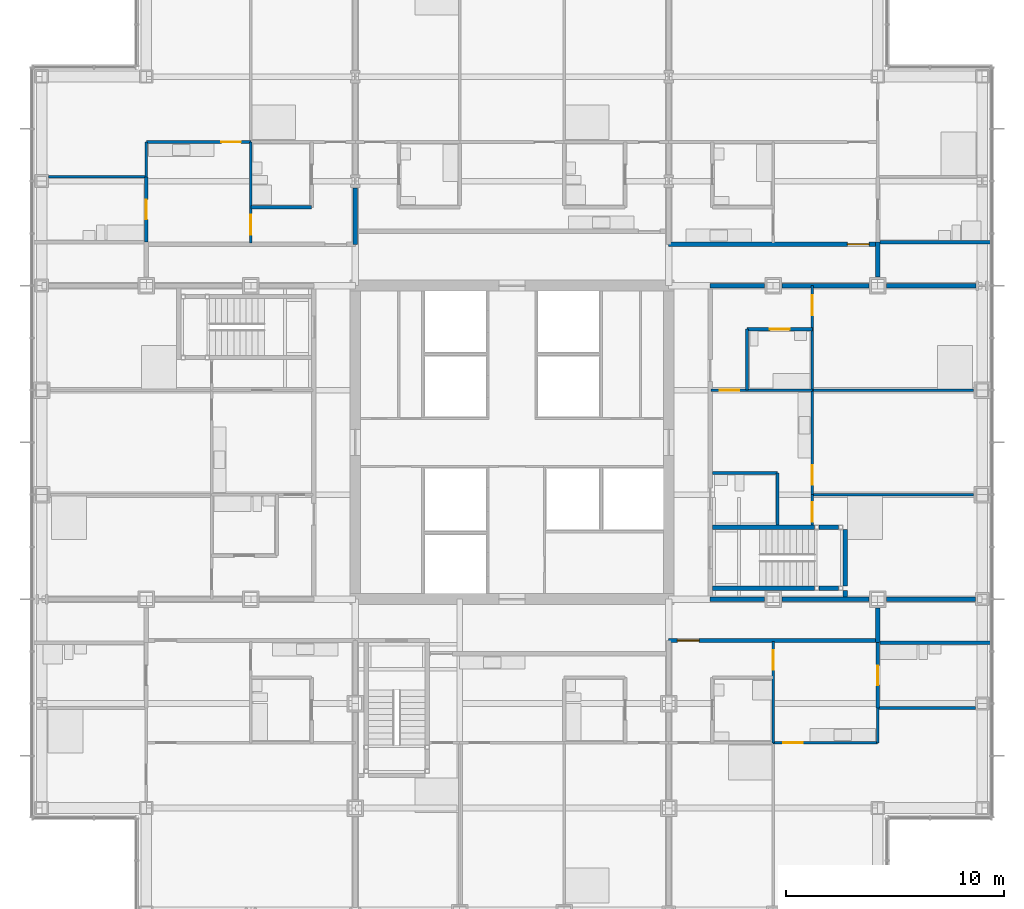
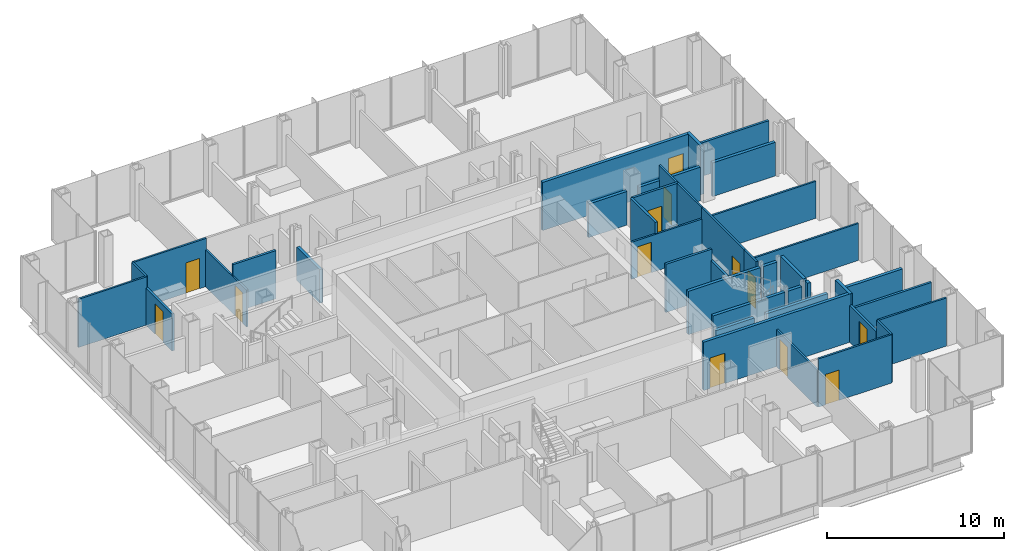
# One storey, part 16 of 21: 40 walls, 13 doors, 13 openings.
"""IFC4 building model written with IfcOpenShell, lengths in metres."""

from ifc_helpers import new_model, si_unit, direction, frame, frame_2d, origin, place, context, subcontext, project, spatial, rectangle, extrude, material, layer, layer_set, type_object, element, fill, save


model = new_model("IFC4")

# Units and contexts
model_context = context("Model", 3, precision=1e-05, world=origin(), true_north=direction((0.0, 1.0)))
body_context = subcontext(model_context, "Body", "Model", "MODEL_VIEW")
ifc_project = project(units=[si_unit("LENGTHUNIT", "METRE"), si_unit("AREAUNIT", "SQUARE_METRE"), si_unit("VOLUMEUNIT", "CUBIC_METRE"), si_unit("PLANEANGLEUNIT", "RADIAN"), si_unit("MASSUNIT", "GRAM", prefix="KILO")], contexts=[model_context])

# Site, building, storey
site_placement = place(None, origin())
site = spatial("IfcSite", under=ifc_project, at=site_placement, CompositionType="ELEMENT")
building_placement = place(site_placement, origin())
building = spatial("IfcBuilding", under=site, at=building_placement, Name="Kvirike Care Tower", CompositionType="ELEMENT")
storey_placement = place(building_placement, frame((0.0, 0.0, 58.5)))
storey = spatial("IfcBuildingStorey", under=building, at=storey_placement, Name="L15", CompositionType="ELEMENT", Elevation=58.5)

# Wall
ifc_material_1 = material(Name="Moisture-resistant board partition", Category="gypsum")
ifc_layer_1 = layer(ifc_material_1, 0.14990234375)
ifc_layer_set_1 = layer_set([ifc_layer_1], Name="BATHROOM WALL 150")
wall_type_1 = type_object("IfcWallType", Name="BATHROOM WALL 150", PredefinedType="PARTITIONING", material=ifc_layer_set_1)
wall_1_placement = place(storey_placement, frame((12.39990234375, 46.800048828125, 0.0), z_axis=(0.0, 0.0, 1.0), x_axis=(-1.0, 0.0, 0.0)))
element("IfcWall", 1, at=wall_1_placement, inside=storey, type_object=wall_type_1, Name="Bathroom Wall 150 L15", PredefinedType="PARTITIONING", context=body_context, shape_type="SweptSolid", body=[
    extrude(rectangle(XDim=2.7998046875, YDim=0.14990234375, at=frame_2d((1.39990234375, 0.0))), origin(), (0.0, 0.0, 1.0), 3.330078125),
])

# Wall, opening, door
wall_2_placement = place(storey_placement, frame((4.800048828125, 48.199951171875, 0.0), z_axis=(0.0, 0.0, 1.0), x_axis=(0.0, -1.0, 0.0)))
wall_2 = element("IfcWall", 2, at=wall_2_placement, inside=storey, type_object=wall_type_1, Name="Bathroom Wall 150 L15", PredefinedType="PARTITIONING", context=body_context, shape_type="SweptSolid", body=[
    extrude(rectangle(XDim=3.0, YDim=0.14990234375, at=frame_2d((1.5, 0.0))), origin(), (0.0, 0.0, 1.0), 2.550048828125),
])
opening_1_placement = place(wall_2_placement, frame((1.050048828125, 0.0, 0.0)))
opening_1 = element("IfcOpeningElement", 3, at=opening_1_placement, cuts=wall_2, Name="Opening 15-016", PredefinedType="OPENING", context=body_context, shape_type="SweptSolid", body=[
    extrude(rectangle(XDim=0.89990234375, YDim=2.10009765625, at=frame_2d((0.449951171875, 1.050048828125))), frame((0.0, 0.08544921875, 0.0), z_axis=(0.0, -1.0, 0.0), x_axis=(1.0, 0.0, 0.0)), (0.0, 0.0, 1.0), 0.1708984375),
])
ifc_material_2 = material(Name="Timber door set", Category="wood")
door_type_1 = type_object("IfcDoorType", Name="BATHROOM DOOR 900", OperationType="SINGLE_SWING_RIGHT", PredefinedType="DOOR", material=ifc_material_2)
door_1_placement = place(opening_1_placement, frame((0.89990234375, 0.0, 0.0), z_axis=(0.0, 0.0, 1.0), x_axis=(-1.0, 0.0, 0.0)))
door_1 = element("IfcDoor", 4, at=door_1_placement, inside=storey, type_object=door_type_1, Name="Bathroom door", OperationType="SINGLE_SWING_RIGHT", OverallHeight=2.10009765625, OverallWidth=0.89990234375, PredefinedType="DOOR", context=body_context, shape_type="SweptSolid", body=[
    extrude(rectangle(XDim=0.89990234375, YDim=2.10009765625, at=frame_2d((0.449951171875, 1.050048828125))), frame((0.0, 0.02197265625, 0.0), z_axis=(0.0, -1.0, 0.0), x_axis=(1.0, 0.0, 0.0)), (0.0, 0.0, 1.0), 0.0439453125),
])
fill(opening_1, door_1)

wall_3_placement = place(storey_placement, frame((38.39990234375, 23.800048828125, 0.0), z_axis=(0.0, 0.0, 1.0), x_axis=(0.0, 1.0, 0.0)))
wall_3 = element("IfcWall", 5, at=wall_3_placement, inside=storey, type_object=wall_type_1, Name="Bathroom Wall 150 L15", PredefinedType="PARTITIONING", context=body_context, shape_type="SweptSolid", body=[
    extrude(rectangle(XDim=3.0, YDim=0.14990234375, at=frame_2d((1.5, 0.0))), origin(), (0.0, 0.0, 1.0), 2.550048828125),
])
opening_2_placement = place(wall_3_placement, frame((1.050048828125, 0.0, 0.0)))
opening_2 = element("IfcOpeningElement", 6, at=opening_2_placement, cuts=wall_3, Name="Opening 15-034", PredefinedType="OPENING", context=body_context, shape_type="SweptSolid", body=[
    extrude(rectangle(XDim=0.89990234375, YDim=2.10009765625, at=frame_2d((0.449951171875, 1.050048828125))), frame((0.0, 0.08544921875, 0.0), z_axis=(0.0, -1.0, 0.0), x_axis=(1.0, 0.0, 0.0)), (0.0, 0.0, 1.0), 0.1708984375),
])
door_2_placement = place(opening_2_placement, frame((0.89990234375, 0.0, 0.0), z_axis=(0.0, 0.0, 1.0), x_axis=(-1.0, 0.0, 0.0)))
door_2 = element("IfcDoor", 7, at=door_2_placement, inside=storey, type_object=door_type_1, Name="Bathroom door", OperationType="SINGLE_SWING_RIGHT", OverallHeight=2.10009765625, OverallWidth=0.89990234375, PredefinedType="DOOR", context=body_context, shape_type="SweptSolid", body=[
    extrude(rectangle(XDim=0.89990234375, YDim=2.10009765625, at=frame_2d((0.449951171875, 1.050048828125))), frame((0.0, 0.02197265625, 0.0), z_axis=(0.0, -1.0, 0.0), x_axis=(1.0, 0.0, 0.0)), (0.0, 0.0, 1.0), 0.0439453125),
])
fill(opening_2, door_2)

# Walls
wall_4_placement = place(storey_placement, frame((33.800048828125, 32.199951171875, 0.0), z_axis=(0.0, 0.0, 1.0), x_axis=(0.0, 1.0, 0.0)))
element("IfcWall", 8, at=wall_4_placement, inside=storey, type_object=wall_type_1, Name="Bathroom Wall 150 L15", PredefinedType="PARTITIONING", context=body_context, shape_type="SweptSolid", body=[
    extrude(rectangle(XDim=2.400146484375, YDim=0.14990234375, at=frame_2d((1.2001953125, 0.0))), origin(), (0.0, 0.0, 1.0), 2.550048828125),
])
wall_5_placement = place(storey_placement, frame((33.800048828125, 34.60009765625, 0.0), z_axis=(0.0, 0.0, 1.0), x_axis=(-1.0, 0.0, 0.0)))
element("IfcWall", 9, at=wall_5_placement, inside=storey, type_object=wall_type_1, Name="Bathroom Wall 150 L15", PredefinedType="PARTITIONING", context=body_context, shape_type="SweptSolid", body=[
    extrude(rectangle(XDim=3.0, YDim=0.14990234375, at=frame_2d((1.5, 0.0))), origin(), (0.0, 0.0, 1.0), 3.330078125),
])

# Wall, opening, door
wall_6_placement = place(storey_placement, frame((35.39990234375, 41.199951171875, 0.0), z_axis=(0.0, 0.0, 1.0), x_axis=(-1.0, 0.0, 0.0)))
wall_6 = element("IfcWall", 10, at=wall_6_placement, inside=storey, type_object=wall_type_1, Name="Bathroom Wall 150 L15", PredefinedType="PARTITIONING", context=body_context, shape_type="SweptSolid", body=[
    extrude(rectangle(XDim=3.0, YDim=0.14990234375, at=frame_2d((1.5, 0.0))), origin(), (0.0, 0.0, 1.0), 3.330078125),
])
opening_3_placement = place(wall_6_placement, frame((1.050048828125, 0.0, 0.0)))
opening_3 = element("IfcOpeningElement", 11, at=opening_3_placement, cuts=wall_6, Name="Opening 15-039", PredefinedType="OPENING", context=body_context, shape_type="SweptSolid", body=[
    extrude(rectangle(XDim=0.89990234375, YDim=2.10009765625, at=frame_2d((0.449951171875, 1.050048828125))), frame((0.0, 0.08544921875, 0.0), z_axis=(0.0, -1.0, 0.0), x_axis=(1.0, 0.0, 0.0)), (0.0, 0.0, 1.0), 0.1708984375),
])
door_3_placement = place(opening_3_placement, origin())
door_3 = element("IfcDoor", 12, at=door_3_placement, inside=storey, type_object=door_type_1, Name="Bathroom door", OperationType="SINGLE_SWING_LEFT", OverallHeight=2.10009765625, OverallWidth=0.89990234375, PredefinedType="DOOR", context=body_context, shape_type="SweptSolid", body=[
    extrude(rectangle(XDim=0.89990234375, YDim=2.10009765625, at=frame_2d((0.449951171875, 1.050048828125))), frame((0.0, 0.02197265625, 0.0), z_axis=(0.0, -1.0, 0.0), x_axis=(1.0, 0.0, 0.0)), (0.0, 0.0, 1.0), 0.0439453125),
])
fill(opening_3, door_3)

# Walls
wall_7_placement = place(storey_placement, frame((32.39990234375, 38.39990234375, 0.0), z_axis=(0.0, 0.0, 1.0), x_axis=(0.0, 1.0, 0.0)))
element("IfcWall", 13, at=wall_7_placement, inside=storey, type_object=wall_type_1, Name="Bathroom Wall 150 L15", PredefinedType="PARTITIONING", context=body_context, shape_type="SweptSolid", body=[
    extrude(rectangle(XDim=2.800048828125, YDim=0.14990234375, at=frame_2d((1.39990234375, 0.0))), origin(), (0.0, 0.0, 1.0), 3.330078125),
])
for number, where, z_axis, x_axis, name in (
    (14, (38.5, 26.800048828125, 0.0), (0.0, 0.0, 1.0), (1.0, 0.0, 0.0), "Bathroom Wall 150 L15"),
    (15, (43.6298828125, 45.199951171875, 0.0), (0.0, 0.0, 1.0), (-1.0, 0.0, 0.0), "Bathroom Wall 150 L15"),
):
    element("IfcWall", number, at=place(storey_placement, frame(where, z_axis=z_axis, x_axis=x_axis)), inside=storey, type_object=wall_type_1, Name=name, PredefinedType="PARTITIONING", context=body_context, shape_type="SweptSolid", body=[
        extrude(rectangle(XDim=5.1298828125, YDim=0.14990234375, at=frame_2d((2.56494140625, 0.0))), origin(), (0.0, 0.0, 1.0), 2.320068359375),
    ])

# Wall, opening, door
ifc_material_3 = material(Name="Plasterboard corridor wall", Category="gypsum")
ifc_layer_2 = layer(ifc_material_3, 0.199951171875)
ifc_layer_set_2 = layer_set([ifc_layer_2], Name="CORRIDOR WALL 200")
wall_type_2 = type_object("IfcWallType", Name="CORRIDOR WALL 200", PredefinedType="PARTITIONING", material=ifc_layer_set_2)
wall_8_placement = place(storey_placement, frame((28.800048828125, 26.89990234375, 0.0), z_axis=(0.0, 0.0, 1.0), x_axis=(1.0, 0.0, 0.0)))
wall_8 = element("IfcWall", 16, at=wall_8_placement, inside=storey, type_object=wall_type_2, Name="Corridor Wall 200 L15", PredefinedType="PARTITIONING", context=body_context, shape_type="SweptSolid", body=[
    extrude(rectangle(XDim=9.599853515625, YDim=0.199951171875, at=frame_2d((4.7998046875, 0.0))), origin(), (0.0, 0.0, 1.0), 3.330078125),
])
opening_4_placement = place(wall_8_placement, frame((0.39990234375, 0.0, 0.0)))
opening_4 = element("IfcOpeningElement", 17, at=opening_4_placement, cuts=wall_8, Name="Opening 15-038", PredefinedType="OPENING", context=body_context, shape_type="SweptSolid", body=[
    extrude(rectangle(XDim=1.0, YDim=2.10009765625, at=frame_2d((0.5, 1.050048828125))), frame((0.0, 0.110595703125, 0.0), z_axis=(0.0, -1.0, 0.0), x_axis=(1.0, 0.0, 0.0)), (0.0, 0.0, 1.0), 0.220947265625),
])
ifc_material_4 = material(Name="Timber door set", Category="wood")
door_type_2 = type_object("IfcDoorType", Name="FLAT ENTRANCE DOOR 1000", OperationType="SINGLE_SWING_LEFT", PredefinedType="DOOR", material=ifc_material_4)
door_4_placement = place(opening_4_placement, frame((1.0, 0.0, 0.0), z_axis=(0.0, 0.0, 1.0), x_axis=(-1.0, 0.0, 0.0)))
door_4 = element("IfcDoor", 18, at=door_4_placement, inside=storey, type_object=door_type_2, Name="One-bedroom apartment entrance", OperationType="SINGLE_SWING_LEFT", OverallHeight=2.10009765625, OverallWidth=1.0, PredefinedType="DOOR", context=body_context, shape_type="SweptSolid", body=[
    extrude(rectangle(XDim=1.0, YDim=2.10009765625, at=frame_2d((0.5, 1.050048828125))), frame((0.0, 0.02685546875, 0.0), z_axis=(0.0, -1.0, 0.0), x_axis=(1.0, 0.0, 0.0)), (0.0, 0.0, 1.0), 0.053955078125),
])
fill(opening_4, door_4)

# Wall
wall_9_placement = place(storey_placement, frame((38.39990234375, 26.800048828125, 0.0), z_axis=(0.0, 0.0, 1.0), x_axis=(0.0, 1.0, 0.0)))
element("IfcWall", 19, at=wall_9_placement, inside=storey, type_object=wall_type_2, Name="Corridor Wall 200 L15", PredefinedType="PARTITIONING", context=body_context, shape_type="SweptSolid", body=[
    extrude(rectangle(XDim=1.60498046875, YDim=0.199951171875, at=frame_2d((0.802490234375, 0.0))), origin(), (0.0, 0.0, 1.0), 3.330078125),
])

# Wall, opening, door
wall_10_placement = place(storey_placement, frame((38.39990234375, 45.10009765625, 0.0), z_axis=(0.0, 0.0, 1.0), x_axis=(-1.0, 0.0, 0.0)))
wall_10 = element("IfcWall", 20, at=wall_10_placement, inside=storey, type_object=wall_type_2, Name="Corridor Wall 200 L15", PredefinedType="PARTITIONING", context=body_context, shape_type="SweptSolid", body=[
    extrude(rectangle(XDim=9.599853515625, YDim=0.199951171875, at=frame_2d((4.7998046875, 0.0))), origin(), (0.0, 0.0, 1.0), 3.330078125),
])
opening_5_placement = place(wall_10_placement, frame((0.39990234375, 0.0, 0.0)))
opening_5 = element("IfcOpeningElement", 21, at=opening_5_placement, cuts=wall_10, Name="Opening 15-052", PredefinedType="OPENING", context=body_context, shape_type="SweptSolid", body=[
    extrude(rectangle(XDim=1.0, YDim=2.10009765625, at=frame_2d((0.5, 1.050048828125))), frame((0.0, 0.110595703125, 0.0), z_axis=(0.0, -1.0, 0.0), x_axis=(1.0, 0.0, 0.0)), (0.0, 0.0, 1.0), 0.220947265625),
])
door_5_placement = place(opening_5_placement, frame((1.0, 0.0, 0.0), z_axis=(0.0, 0.0, 1.0), x_axis=(-1.0, 0.0, 0.0)))
door_5 = element("IfcDoor", 22, at=door_5_placement, inside=storey, type_object=door_type_2, Name="One-bedroom apartment entrance", OperationType="SINGLE_SWING_LEFT", OverallHeight=2.10009765625, OverallWidth=1.0, PredefinedType="DOOR", context=body_context, shape_type="SweptSolid", body=[
    extrude(rectangle(XDim=1.0, YDim=2.10009765625, at=frame_2d((0.5, 1.050048828125))), frame((0.0, 0.02685546875, 0.0), z_axis=(0.0, -1.0, 0.0), x_axis=(1.0, 0.0, 0.0)), (0.0, 0.0, 1.0), 0.053955078125),
])
fill(opening_5, door_5)

# Wall
wall_11_placement = place(storey_placement, frame((38.39990234375, 45.199951171875, 0.0), z_axis=(0.0, 0.0, 1.0), x_axis=(0.0, -1.0, 0.0)))
element("IfcWall", 23, at=wall_11_placement, inside=storey, type_object=wall_type_2, Name="Corridor Wall 200 L15", PredefinedType="PARTITIONING", context=body_context, shape_type="SweptSolid", body=[
    extrude(rectangle(XDim=1.60498046875, YDim=0.199951171875, at=frame_2d((0.802490234375, 0.0))), origin(), (0.0, 0.0, 1.0), 3.330078125),
])

# Wall, opening, door
ifc_material_5 = material(Name="Plasterboard partition", Category="gypsum")
ifc_layer_3 = layer(ifc_material_5, 0.1201171875)
ifc_layer_set_3 = layer_set([ifc_layer_3], Name="PARTITION 120")
wall_type_3 = type_object("IfcWallType", Name="PARTITION 120", PredefinedType="PARTITIONING", material=ifc_layer_set_3)
wall_12_placement = place(storey_placement, frame((9.60009765625, 49.800048828125, 0.0), z_axis=(0.0, 0.0, 1.0), x_axis=(0.0, -1.0, 0.0)))
wall_12 = element("IfcWall", 24, at=wall_12_placement, inside=storey, type_object=wall_type_3, Name="Partition 120 L15", PredefinedType="PARTITIONING", context=body_context, shape_type="SweptSolid", body=[
    extrude(rectangle(XDim=4.650146484375, YDim=0.1201171875, at=frame_2d((2.3251953125, 0.0))), origin(), (0.0, 0.0, 1.0), 2.550048828125),
])
opening_6_placement = place(wall_12_placement, frame((3.35009765625, 0.0, 0.0)))
opening_6 = element("IfcOpeningElement", 25, at=opening_6_placement, cuts=wall_12, Name="Opening 15-017", PredefinedType="OPENING", context=body_context, shape_type="SweptSolid", body=[
    extrude(rectangle(XDim=0.89990234375, YDim=2.10009765625, at=frame_2d((0.449951171875, 1.050048828125))), frame((0.0, 0.070556640625, 0.0), z_axis=(0.0, -1.0, 0.0), x_axis=(1.0, 0.0, 0.0)), (0.0, 0.0, 1.0), 0.14111328125),
])
ifc_material_6 = material(Name="Timber door set", Category="wood")
door_type_3 = type_object("IfcDoorType", Name="INTERNAL DOOR 900", OperationType="SINGLE_SWING_LEFT", PredefinedType="DOOR", material=ifc_material_6)
door_6_placement = place(opening_6_placement, origin())
door_6 = element("IfcDoor", 26, at=door_6_placement, inside=storey, type_object=door_type_3, Name="Hall door", OperationType="SINGLE_SWING_LEFT", OverallHeight=2.10009765625, OverallWidth=0.89990234375, PredefinedType="DOOR", context=body_context, shape_type="SweptSolid", body=[
    extrude(rectangle(XDim=0.89990234375, YDim=2.10009765625, at=frame_2d((0.449951171875, 1.050048828125))), frame((0.0, 0.02197265625, 0.0), z_axis=(0.0, -1.0, 0.0), x_axis=(1.0, 0.0, 0.0)), (0.0, 0.0, 1.0), 0.0439453125),
])
fill(opening_6, door_6)

wall_13_placement = place(storey_placement, frame((9.60009765625, 49.800048828125, 0.0), z_axis=(0.0, 0.0, 1.0), x_axis=(-1.0, 0.0, 0.0)))
wall_13 = element("IfcWall", 27, at=wall_13_placement, inside=storey, type_object=wall_type_3, Name="Partition 120 L15", PredefinedType="PARTITIONING", context=body_context, shape_type="SweptSolid", body=[
    extrude(rectangle(XDim=4.800048828125, YDim=0.1201171875, at=frame_2d((2.39990234375, 0.0))), origin(), (0.0, 0.0, 1.0), 3.330078125),
])
opening_7_placement = place(wall_13_placement, frame((0.449951171875, 0.0, 0.0)))
opening_7 = element("IfcOpeningElement", 28, at=opening_7_placement, cuts=wall_13, Name="Opening 15-019", PredefinedType="OPENING", context=body_context, shape_type="SweptSolid", body=[
    extrude(rectangle(XDim=0.89990234375, YDim=2.10009765625, at=frame_2d((0.449951171875, 1.050048828125))), frame((0.0, 0.070556640625, 0.0), z_axis=(0.0, -1.0, 0.0), x_axis=(1.0, 0.0, 0.0)), (0.0, 0.0, 1.0), 0.14111328125),
])
door_7_placement = place(opening_7_placement, origin())
door_7 = element("IfcDoor", 29, at=door_7_placement, inside=storey, type_object=door_type_3, Name="Apartment living and dining room door", OperationType="SINGLE_SWING_RIGHT", OverallHeight=2.10009765625, OverallWidth=0.89990234375, PredefinedType="DOOR", context=body_context, shape_type="SweptSolid", body=[
    extrude(rectangle(XDim=0.89990234375, YDim=2.10009765625, at=frame_2d((0.449951171875, 1.050048828125))), frame((0.0, 0.02197265625, 0.0), z_axis=(0.0, -1.0, 0.0), x_axis=(1.0, 0.0, 0.0)), (0.0, 0.0, 1.0), 0.0439453125),
])
fill(opening_7, door_7)

# Walls
wall_14_placement = place(storey_placement, frame((4.800048828125, 48.199951171875, 0.0), z_axis=(0.0, 0.0, 1.0), x_axis=(-1.0, 0.0, 0.0)))
element("IfcWall", 30, at=wall_14_placement, inside=storey, type_object=wall_type_3, Name="Partition 120 L15", PredefinedType="PARTITIONING", context=body_context, shape_type="SweptSolid", body=[
    extrude(rectangle(XDim=4.47998046875, YDim=0.1201171875, at=frame_2d((2.239990234375, 0.0))), origin(), (0.0, 0.0, 1.0), 3.330078125),
])
wall_15_placement = place(storey_placement, frame((4.800048828125, 49.800048828125, 0.0), z_axis=(0.0, 0.0, 1.0), x_axis=(0.0, -1.0, 0.0)))
element("IfcWall", 31, at=wall_15_placement, inside=storey, type_object=wall_type_3, Name="Partition 120 L15", PredefinedType="PARTITIONING", context=body_context, shape_type="SweptSolid", body=[
    extrude(rectangle(XDim=1.60009765625, YDim=0.1201171875, at=frame_2d((0.800048828125, 0.0))), origin(), (0.0, 0.0, 1.0), 3.330078125),
])

# Wall, opening, door
wall_16_placement = place(storey_placement, frame((33.60009765625, 22.199951171875, 0.0), z_axis=(0.0, 0.0, 1.0), x_axis=(0.0, 1.0, 0.0)))
wall_16 = element("IfcWall", 32, at=wall_16_placement, inside=storey, type_object=wall_type_3, Name="Partition 120 L15", PredefinedType="PARTITIONING", context=body_context, shape_type="SweptSolid", body=[
    extrude(rectangle(XDim=4.650146484375, YDim=0.1201171875, at=frame_2d((2.3251953125, 0.0))), origin(), (0.0, 0.0, 1.0), 2.550048828125),
])
opening_8_placement = place(wall_16_placement, frame((3.35009765625, 0.0, 0.0)))
opening_8 = element("IfcOpeningElement", 33, at=opening_8_placement, cuts=wall_16, Name="Opening 15-035", PredefinedType="OPENING", context=body_context, shape_type="SweptSolid", body=[
    extrude(rectangle(XDim=0.89990234375, YDim=2.10009765625, at=frame_2d((0.449951171875, 1.050048828125))), frame((0.0, 0.070556640625, 0.0), z_axis=(0.0, -1.0, 0.0), x_axis=(1.0, 0.0, 0.0)), (0.0, 0.0, 1.0), 0.14111328125),
])
door_8_placement = place(opening_8_placement, origin())
door_8 = element("IfcDoor", 34, at=door_8_placement, inside=storey, type_object=door_type_3, Name="Hall door", OperationType="SINGLE_SWING_LEFT", OverallHeight=2.10009765625, OverallWidth=0.89990234375, PredefinedType="DOOR", context=body_context, shape_type="SweptSolid", body=[
    extrude(rectangle(XDim=0.89990234375, YDim=2.10009765625, at=frame_2d((0.449951171875, 1.050048828125))), frame((0.0, 0.02197265625, 0.0), z_axis=(0.0, -1.0, 0.0), x_axis=(1.0, 0.0, 0.0)), (0.0, 0.0, 1.0), 0.0439453125),
])
fill(opening_8, door_8)

wall_17_placement = place(storey_placement, frame((33.60009765625, 22.199951171875, 0.0), z_axis=(0.0, 0.0, 1.0), x_axis=(1.0, 0.0, 0.0)))
wall_17 = element("IfcWall", 35, at=wall_17_placement, inside=storey, type_object=wall_type_3, Name="Partition 120 L15", PredefinedType="PARTITIONING", context=body_context, shape_type="SweptSolid", body=[
    extrude(rectangle(XDim=4.7998046875, YDim=0.1201171875, at=frame_2d((2.39990234375, 0.0))), origin(), (0.0, 0.0, 1.0), 3.330078125),
])
opening_9_placement = place(wall_17_placement, frame((0.449951171875, 0.0, 0.0)))
opening_9 = element("IfcOpeningElement", 36, at=opening_9_placement, cuts=wall_17, Name="Opening 15-037", PredefinedType="OPENING", context=body_context, shape_type="SweptSolid", body=[
    extrude(rectangle(XDim=0.89990234375, YDim=2.10009765625, at=frame_2d((0.449951171875, 1.050048828125))), frame((0.0, 0.070556640625, 0.0), z_axis=(0.0, -1.0, 0.0), x_axis=(1.0, 0.0, 0.0)), (0.0, 0.0, 1.0), 0.14111328125),
])
door_9_placement = place(opening_9_placement, origin())
door_9 = element("IfcDoor", 37, at=door_9_placement, inside=storey, type_object=door_type_3, Name="Apartment living and dining room door", OperationType="SINGLE_SWING_RIGHT", OverallHeight=2.10009765625, OverallWidth=0.89990234375, PredefinedType="DOOR", context=body_context, shape_type="SweptSolid", body=[
    extrude(rectangle(XDim=0.89990234375, YDim=2.10009765625, at=frame_2d((0.449951171875, 1.050048828125))), frame((0.0, 0.02197265625, 0.0), z_axis=(0.0, -1.0, 0.0), x_axis=(1.0, 0.0, 0.0)), (0.0, 0.0, 1.0), 0.0439453125),
])
fill(opening_9, door_9)

# Walls
wall_18_placement = place(storey_placement, frame((38.39990234375, 23.800048828125, 0.0), z_axis=(0.0, 0.0, 1.0), x_axis=(1.0, 0.0, 0.0)))
element("IfcWall", 38, at=wall_18_placement, inside=storey, type_object=wall_type_3, Name="Partition 120 L15", PredefinedType="PARTITIONING", context=body_context, shape_type="SweptSolid", body=[
    extrude(rectangle(XDim=4.47998046875, YDim=0.1201171875, at=frame_2d((2.239990234375, 0.0))), origin(), (0.0, 0.0, 1.0), 3.330078125),
])
wall_19_placement = place(storey_placement, frame((38.39990234375, 22.199951171875, 0.0), z_axis=(0.0, 0.0, 1.0), x_axis=(0.0, 1.0, 0.0)))
element("IfcWall", 39, at=wall_19_placement, inside=storey, type_object=wall_type_3, Name="Partition 120 L15", PredefinedType="PARTITIONING", context=body_context, shape_type="SweptSolid", body=[
    extrude(rectangle(XDim=1.60009765625, YDim=0.1201171875, at=frame_2d((0.800048828125, 0.0))), origin(), (0.0, 0.0, 1.0), 3.330078125),
])

# Wall, opening, door
wall_20_placement = place(storey_placement, frame((35.39990234375, 38.39990234375, 0.0), z_axis=(0.0, 0.0, 1.0), x_axis=(-1.0, 0.0, 0.0)))
wall_20 = element("IfcWall", 40, at=wall_20_placement, inside=storey, type_object=wall_type_3, Name="Partition 120 L15", PredefinedType="PARTITIONING", context=body_context, shape_type="SweptSolid", body=[
    extrude(rectangle(XDim=4.64990234375, YDim=0.1201171875, at=frame_2d((2.324951171875, 0.0))), origin(), (0.0, 0.0, 1.0), 2.550048828125),
])
opening_10_placement = place(wall_20_placement, frame((3.35009765625, 0.0, 0.0)))
opening_10 = element("IfcOpeningElement", 41, at=opening_10_placement, cuts=wall_20, Name="Opening 15-040", PredefinedType="OPENING", context=body_context, shape_type="SweptSolid", body=[
    extrude(rectangle(XDim=0.89990234375, YDim=2.10009765625, at=frame_2d((0.449951171875, 1.050048828125))), frame((0.0, 0.070556640625, 0.0), z_axis=(0.0, -1.0, 0.0), x_axis=(1.0, 0.0, 0.0)), (0.0, 0.0, 1.0), 0.14111328125),
])
door_10_placement = place(opening_10_placement, origin())
door_10 = element("IfcDoor", 42, at=door_10_placement, inside=storey, type_object=door_type_3, Name="Hall door", OperationType="SINGLE_SWING_LEFT", OverallHeight=2.10009765625, OverallWidth=0.89990234375, PredefinedType="DOOR", context=body_context, shape_type="SweptSolid", body=[
    extrude(rectangle(XDim=0.89990234375, YDim=2.10009765625, at=frame_2d((0.449951171875, 1.050048828125))), frame((0.0, 0.02197265625, 0.0), z_axis=(0.0, -1.0, 0.0), x_axis=(1.0, 0.0, 0.0)), (0.0, 0.0, 1.0), 0.0439453125),
])
fill(opening_10, door_10)

wall_21_placement = place(storey_placement, frame((35.39990234375, 32.199951171875, 0.0), z_axis=(0.0, 0.0, 1.0), x_axis=(0.0, 1.0, 0.0)))
wall_21 = element("IfcWall", 43, at=wall_21_placement, inside=storey, type_object=wall_type_3, Name="Partition 120 L15", PredefinedType="PARTITIONING", context=body_context, shape_type="SweptSolid", body=[
    extrude(rectangle(XDim=1.400146484375, YDim=0.1201171875, at=frame_2d((0.7001953125, 0.0))), origin(), (0.0, 0.0, 1.0), 3.330078125),
])
opening_11_placement = place(wall_21_placement, frame((0.14990234375, 0.0, 0.0)))
opening_11 = element("IfcOpeningElement", 44, at=opening_11_placement, cuts=wall_21, Name="Opening 15-041", PredefinedType="OPENING", context=body_context, shape_type="SweptSolid", body=[
    extrude(rectangle(XDim=0.89990234375, YDim=2.10009765625, at=frame_2d((0.449951171875, 1.050048828125))), frame((0.0, 0.070556640625, 0.0), z_axis=(0.0, -1.0, 0.0), x_axis=(1.0, 0.0, 0.0)), (0.0, 0.0, 1.0), 0.14111328125),
])
door_11_placement = place(opening_11_placement, origin())
door_11 = element("IfcDoor", 45, at=door_11_placement, inside=storey, type_object=door_type_3, Name="Apartment bedroom door", OperationType="SINGLE_SWING_RIGHT", OverallHeight=2.10009765625, OverallWidth=0.89990234375, PredefinedType="DOOR", context=body_context, shape_type="SweptSolid", body=[
    extrude(rectangle(XDim=0.89990234375, YDim=2.10009765625, at=frame_2d((0.449951171875, 1.050048828125))), frame((0.0, 0.02197265625, 0.0), z_axis=(0.0, -1.0, 0.0), x_axis=(1.0, 0.0, 0.0)), (0.0, 0.0, 1.0), 0.0439453125),
])
fill(opening_11, door_11)

wall_22_placement = place(storey_placement, frame((35.39990234375, 33.60009765625, 0.0), z_axis=(0.0, 0.0, 1.0), x_axis=(0.0, 1.0, 0.0)))
wall_22 = element("IfcWall", 46, at=wall_22_placement, inside=storey, type_object=wall_type_3, Name="Partition 120 L15", PredefinedType="PARTITIONING", context=body_context, shape_type="SweptSolid", body=[
    extrude(rectangle(XDim=4.7998046875, YDim=0.1201171875, at=frame_2d((2.39990234375, 0.0))), origin(), (0.0, 0.0, 1.0), 3.330078125),
])
opening_12_placement = place(wall_22_placement, frame((0.449951171875, 0.0, 0.0)))
opening_12 = element("IfcOpeningElement", 47, at=opening_12_placement, cuts=wall_22, Name="Opening 15-042", PredefinedType="OPENING", context=body_context, shape_type="SweptSolid", body=[
    extrude(rectangle(XDim=0.89990234375, YDim=2.10009765625, at=frame_2d((0.449951171875, 1.050048828125))), frame((0.0, 0.070556640625, 0.0), z_axis=(0.0, -1.0, 0.0), x_axis=(1.0, 0.0, 0.0)), (0.0, 0.0, 1.0), 0.14111328125),
])
door_12_placement = place(opening_12_placement, origin())
door_12 = element("IfcDoor", 48, at=door_12_placement, inside=storey, type_object=door_type_3, Name="Apartment living room door", OperationType="SINGLE_SWING_RIGHT", OverallHeight=2.10009765625, OverallWidth=0.89990234375, PredefinedType="DOOR", context=body_context, shape_type="SweptSolid", body=[
    extrude(rectangle(XDim=0.89990234375, YDim=2.10009765625, at=frame_2d((0.449951171875, 1.050048828125))), frame((0.0, 0.02197265625, 0.0), z_axis=(0.0, -1.0, 0.0), x_axis=(1.0, 0.0, 0.0)), (0.0, 0.0, 1.0), 0.0439453125),
])
fill(opening_12, door_12)

wall_23_placement = place(storey_placement, frame((35.39990234375, 38.39990234375, 0.0), z_axis=(0.0, 0.0, 1.0), x_axis=(0.0, 1.0, 0.0)))
wall_23 = element("IfcWall", 49, at=wall_23_placement, inside=storey, type_object=wall_type_3, Name="Partition 120 L15", PredefinedType="PARTITIONING", context=body_context, shape_type="SweptSolid", body=[
    extrude(rectangle(XDim=4.800048828125, YDim=0.1201171875, at=frame_2d((2.39990234375, 0.0))), origin(), (0.0, 0.0, 1.0), 3.330078125),
])
opening_13_placement = place(wall_23_placement, frame((3.449951171875, 0.0, 0.0)))
opening_13 = element("IfcOpeningElement", 50, at=opening_13_placement, cuts=wall_23, Name="Opening 15-043", PredefinedType="OPENING", context=body_context, shape_type="SweptSolid", body=[
    extrude(rectangle(XDim=0.89990234375, YDim=2.10009765625, at=frame_2d((0.449951171875, 1.050048828125))), frame((0.0, 0.070556640625, 0.0), z_axis=(0.0, -1.0, 0.0), x_axis=(1.0, 0.0, 0.0)), (0.0, 0.0, 1.0), 0.14111328125),
])
door_13_placement = place(opening_13_placement, origin())
door_13 = element("IfcDoor", 51, at=door_13_placement, inside=storey, type_object=door_type_3, Name="Apartment bedroom door", OperationType="SINGLE_SWING_LEFT", OverallHeight=2.10009765625, OverallWidth=0.89990234375, PredefinedType="DOOR", context=body_context, shape_type="SweptSolid", body=[
    extrude(rectangle(XDim=0.89990234375, YDim=2.10009765625, at=frame_2d((0.449951171875, 1.050048828125))), frame((0.0, 0.02197265625, 0.0), z_axis=(0.0, -1.0, 0.0), x_axis=(1.0, 0.0, 0.0)), (0.0, 0.0, 1.0), 0.0439453125),
])
fill(opening_13, door_13)

# Walls
for number, where, z_axis, x_axis, name in (
    (52, (42.804931640625, 33.60009765625, 0.0), (0.0, 0.0, 1.0), (-1.0, 0.0, 0.0), "Partition 120 L15"),
    (53, (42.804931640625, 38.39990234375, 0.0), (0.0, 0.0, 1.0), (-1.0, 0.0, 0.0), "Partition 120 L15"),
):
    element("IfcWall", number, at=place(storey_placement, frame(where, z_axis=z_axis, x_axis=x_axis)), inside=storey, type_object=wall_type_3, Name=name, PredefinedType="PARTITIONING", context=body_context, shape_type="SweptSolid", body=[
        extrude(rectangle(XDim=7.405029296875, YDim=0.1201171875, at=frame_2d((3.70263671875, 0.0))), origin(), (0.0, 0.0, 1.0), 2.550048828125),
    ])
ifc_material_7 = material(Name="Plasterboard party wall", Category="gypsum")
ifc_layer_4 = layer(ifc_material_7, 0.199951171875)
ifc_layer_set_4 = layer_set([ifc_layer_4], Name="PARTY WALL 200")
wall_type_4 = type_object("IfcWallType", Name="PARTY WALL 200", PredefinedType="PARTITIONING", material=ifc_layer_set_4)
wall_24_placement = place(storey_placement, frame((14.39990234375, 45.10009765625, 0.0), z_axis=(0.0, 0.0, 1.0), x_axis=(0.0, 1.0, 0.0)))
element("IfcWall", 54, at=wall_24_placement, inside=storey, type_object=wall_type_4, Name="Party Wall 200 L15", PredefinedType="PARTITIONING", context=body_context, shape_type="SweptSolid", body=[
    extrude(rectangle(XDim=2.595458984375, YDim=0.199951171875, at=frame_2d((1.2978515625, 0.0))), origin(), (0.0, 0.0, 1.0), 2.320068359375),
])
wall_25_placement = place(storey_placement, frame((42.8798828125, 28.800048828125, 0.0), z_axis=(0.0, 0.0, 1.0), x_axis=(-1.0, 0.0, 0.0)))
element("IfcWall", 55, at=wall_25_placement, inside=storey, type_object=wall_type_4, Name="Party Wall 200 L15", PredefinedType="PARTITIONING", context=body_context, shape_type="SweptSolid", body=[
    extrude(rectangle(XDim=4.0849609375, YDim=0.199951171875, at=frame_2d((2.04248046875, 0.0))), origin(), (0.0, 0.0, 1.0), 2.320068359375),
])
wall_26_placement = place(storey_placement, frame((38.0048828125, 28.800048828125, 0.0), z_axis=(0.0, 0.0, 1.0), x_axis=(-1.0, 0.0, 0.0)))
element("IfcWall", 56, at=wall_26_placement, inside=storey, type_object=wall_type_4, Name="Party Wall 200 L15", PredefinedType="PARTITIONING", context=body_context, shape_type="SweptSolid", body=[
    extrude(rectangle(XDim=4.009765625, YDim=0.199951171875, at=frame_2d((2.0048828125, 0.0))), origin(), (0.0, 0.0, 1.0), 2.320068359375),
])
wall_27_placement = place(storey_placement, frame((33.205078125, 28.800048828125, 0.0), z_axis=(0.0, 0.0, 1.0), x_axis=(-1.0, 0.0, 0.0)))
element("IfcWall", 57, at=wall_27_placement, inside=storey, type_object=wall_type_4, Name="Party Wall 200 L15", PredefinedType="PARTITIONING", context=body_context, shape_type="SweptSolid", body=[
    extrude(rectangle(XDim=2.505126953125, YDim=0.199951171875, at=frame_2d((1.25244140625, 0.0))), origin(), (0.0, 0.0, 1.0), 2.320068359375),
])
wall_28_placement = place(storey_placement, frame((42.905029296875, 43.199951171875, 0.0), z_axis=(0.0, 0.0, 1.0), x_axis=(-1.0, 0.0, 0.0)))
element("IfcWall", 58, at=wall_28_placement, inside=storey, type_object=wall_type_4, Name="Party Wall 200 L15", PredefinedType="PARTITIONING", context=body_context, shape_type="SweptSolid", body=[
    extrude(rectangle(XDim=4.110107421875, YDim=0.199951171875, at=frame_2d((2.05517578125, 0.0))), origin(), (0.0, 0.0, 1.0), 2.320068359375),
])
wall_29_placement = place(storey_placement, frame((38.0048828125, 43.199951171875, 0.0), z_axis=(0.0, 0.0, 1.0), x_axis=(-1.0, 0.0, 0.0)))
element("IfcWall", 59, at=wall_29_placement, inside=storey, type_object=wall_type_4, Name="Party Wall 200 L15", PredefinedType="PARTITIONING", context=body_context, shape_type="SweptSolid", body=[
    extrude(rectangle(XDim=4.009765625, YDim=0.199951171875, at=frame_2d((2.0048828125, 0.0))), origin(), (0.0, 0.0, 1.0), 2.320068359375),
])
wall_30_placement = place(storey_placement, frame((33.205078125, 43.199951171875, 0.0), z_axis=(0.0, 0.0, 1.0), x_axis=(-1.0, 0.0, 0.0)))
element("IfcWall", 60, at=wall_30_placement, inside=storey, type_object=wall_type_4, Name="Party Wall 200 L15", PredefinedType="PARTITIONING", context=body_context, shape_type="SweptSolid", body=[
    extrude(rectangle(XDim=2.505126953125, YDim=0.199951171875, at=frame_2d((1.25244140625, 0.0))), origin(), (0.0, 0.0, 1.0), 2.320068359375),
])
ifc_material_8 = material(Name="Concrete C40/50", Category="concrete")
ifc_layer_5 = layer(ifc_material_8, 0.199951171875)
ifc_layer_set_5 = layer_set([ifc_layer_5], Name="STAIR WALL 200")
wall_type_5 = type_object("IfcWallType", Name="STAIR WALL 200", PredefinedType="SOLIDWALL", material=ifc_layer_set_5)
wall_31_placement = place(storey_placement, frame((36.60009765625, 29.300048828125, 0.0), z_axis=(0.0, 0.0, 1.0), x_axis=(-1.0, 0.0, 0.0)))
element("IfcWall", 61, at=wall_31_placement, inside=storey, type_object=wall_type_5, Name="Stair Wall 200 L15", PredefinedType="SOLIDWALL", context=body_context, shape_type="SweptSolid", body=[
    extrude(rectangle(XDim=0.900146484375, YDim=0.199951171875, at=frame_2d((0.4501953125, 0.0))), origin(), (0.0, 0.0, 1.0), 2.989990234375),
])
wall_32_placement = place(storey_placement, frame((35.5, 29.300048828125, 0.0), z_axis=(0.0, 0.0, 1.0), x_axis=(-1.0, 0.0, 0.0)))
element("IfcWall", 62, at=wall_32_placement, inside=storey, type_object=wall_type_5, Name="Stair Wall 200 L15", PredefinedType="SOLIDWALL", context=body_context, shape_type="SweptSolid", body=[
    extrude(rectangle(XDim=4.699951171875, YDim=0.199951171875, at=frame_2d((2.35009765625, 0.0))), origin(), (0.0, 0.0, 1.0), 2.989990234375),
])
wall_33_placement = place(storey_placement, frame((36.60009765625, 32.10009765625, 0.0), z_axis=(0.0, 0.0, 1.0), x_axis=(-1.0, 0.0, 0.0)))
element("IfcWall", 63, at=wall_33_placement, inside=storey, type_object=wall_type_5, Name="Stair Wall 200 L15", PredefinedType="SOLIDWALL", context=body_context, shape_type="SweptSolid", body=[
    extrude(rectangle(XDim=0.900146484375, YDim=0.199951171875, at=frame_2d((0.4501953125, 0.0))), origin(), (0.0, 0.0, 1.0), 2.989990234375),
])
wall_34_placement = place(storey_placement, frame((35.5, 32.10009765625, 0.0), z_axis=(0.0, 0.0, 1.0), x_axis=(-1.0, 0.0, 0.0)))
element("IfcWall", 64, at=wall_34_placement, inside=storey, type_object=wall_type_5, Name="Stair Wall 200 L15", PredefinedType="SOLIDWALL", context=body_context, shape_type="SweptSolid", body=[
    extrude(rectangle(XDim=4.699951171875, YDim=0.199951171875, at=frame_2d((2.35009765625, 0.0))), origin(), (0.0, 0.0, 1.0), 2.989990234375),
])
wall_35_placement = place(storey_placement, frame((36.89990234375, 28.89990234375, 0.0), z_axis=(0.0, 0.0, 1.0), x_axis=(0.0, 1.0, 0.0)))
element("IfcWall", 65, at=wall_35_placement, inside=storey, type_object=wall_type_5, Name="Stair Wall 200 L15", PredefinedType="SOLIDWALL", context=body_context, shape_type="SweptSolid", body=[
    extrude(rectangle(XDim=0.300048828125, YDim=0.199951171875, at=frame_2d((0.14990234375, 0.0))), origin(), (0.0, 0.0, 1.0), 3.330078125),
])
wall_36_placement = place(storey_placement, frame((36.89990234375, 29.39990234375, 0.0), z_axis=(0.0, 0.0, 1.0), x_axis=(0.0, 1.0, 0.0)))
element("IfcWall", 66, at=wall_36_placement, inside=storey, type_object=wall_type_5, Name="Stair Wall 200 L15", PredefinedType="SOLIDWALL", context=body_context, shape_type="SweptSolid", body=[
    extrude(rectangle(XDim=2.60009765625, YDim=0.199951171875, at=frame_2d((1.300048828125, 0.0))), origin(), (0.0, 0.0, 1.0), 3.330078125),
])

save(model, "model.ifc")
